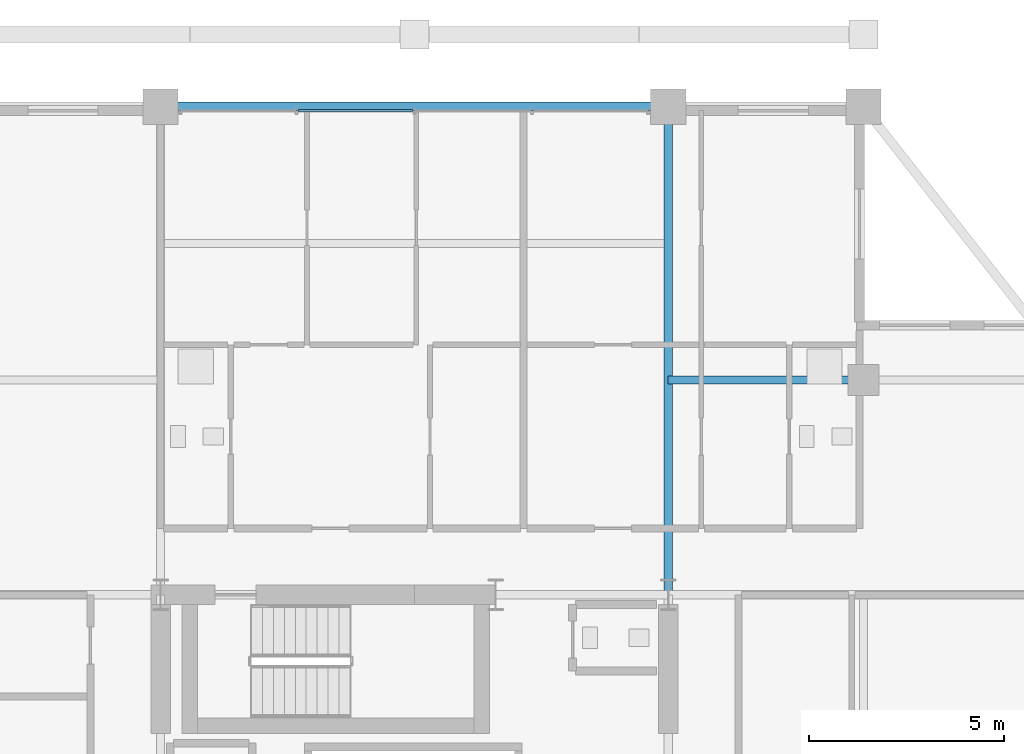
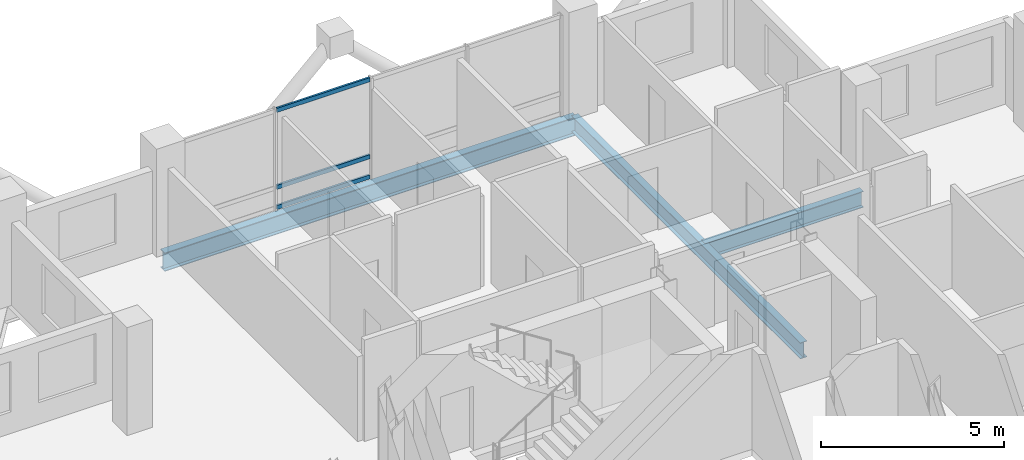
# One storey, part 15 of 23: 3 beams, 3 members, 1 element without a shape of its own.
"""IFC4 building model written with IfcOpenShell, lengths in metres."""

import ifcopenshell
import ifcopenshell.guid

model = None  # the IFC model being written
_history = None  # IfcOwnerHistory: only IFC2X3 demands one
_inside = {}  # id of a spatial element -> (the spatial element, [elements in it])
_under = {}  # id of a project, library or spatial element -> (it, [spatial elements below it])
_declared = {}  # id of a project -> (the project, [libraries it declares])
_typed = {}  # id of a type object -> (the type object, [elements of that type])
_made_of = {}  # id of a material, layer set ... -> (it, [elements and type objects made of it])


def new_model(schema):
    """Start an empty IFC model of exactly this schema.

    Asked for "IFC4X3", IfcOpenShell would pick the latest addendum, in which some entities
    have other attributes; the version numbers below select the first issue.
    IFC2X3 requires an IfcOwnerHistory on every rooted entity: one is made here for all.
    """
    global model, _history
    if schema == "IFC4X3":
        model = ifcopenshell.file(schema_version=(4, 3, 0, 0))
    else:
        model = ifcopenshell.file(schema=schema)
    _inside.clear()
    _under.clear()
    _declared.clear()
    _typed.clear()
    _made_of.clear()
    _history = None
    if model.schema == "IFC2X3":
        org = make("IfcOrganization", Name="unknown")
        user = make(
            "IfcPersonAndOrganization",
            ThePerson=make("IfcPerson", FamilyName="unknown"),
            TheOrganization=org,
        )
        app = make(
            "IfcApplication",
            ApplicationDeveloper=org,
            Version="unknown",
            ApplicationFullName="unknown",
            ApplicationIdentifier="unknown",
        )
        _history = make(
            "IfcOwnerHistory",
            OwningUser=user,
            OwningApplication=app,
            ChangeAction="ADDED",
            CreationDate=0,
        )
    return model


def make(cls, **values):
    """One entity of the class cls with the attributes given. An attribute that is None is left unset."""
    return model.create_entity(
        cls, **{name: value for name, value in values.items() if value is not None}
    )


def rooted(cls, **values):
    """An entity with a GlobalId (a new one), such as an element, a storey or a relation."""
    return make(cls, GlobalId=ifcopenshell.guid.new(), OwnerHistory=_history, **values)


def si_unit(unit_type, name, prefix=None):
    """IfcSIUnit, for example si_unit("LENGTHUNIT", "METRE", prefix="MILLI")."""
    return make("IfcSIUnit", UnitType=unit_type, Prefix=prefix, Name=name)


def assignment(units):
    """IfcUnitAssignment: the units of a project."""
    return None if units is None else make("IfcUnitAssignment", Units=units)


def point(xyz):
    """IfcCartesianPoint."""
    return None if xyz is None else make("IfcCartesianPoint", Coordinates=xyz)


def direction(xyz):
    """IfcDirection."""
    return None if xyz is None else make("IfcDirection", DirectionRatios=xyz)


def frame(location, z_axis=None, x_axis=None):
    """IfcAxis2Placement3D, a coordinate frame: its origin and axes. An axis left out is left unset."""
    return make(
        "IfcAxis2Placement3D",
        Location=point(location),
        Axis=direction(z_axis),
        RefDirection=direction(x_axis),
    )


def frame_2d(location, x_axis=None):
    """IfcAxis2Placement2D, a coordinate frame in the plane: its origin and x axis."""
    return make(
        "IfcAxis2Placement2D", Location=point(location), RefDirection=direction(x_axis)
    )


def origin():
    """The frame at (0, 0, 0) with its axes left unset."""
    return frame((0.0, 0.0, 0.0))


def origin_2d():
    """The frame at (0, 0) in the plane with its x axis left unset."""
    return frame_2d((0.0, 0.0))


def place(relative_to, where):
    """IfcLocalPlacement: puts the frame where relative to a parent placement (None: the world)."""
    return make(
        "IfcLocalPlacement", PlacementRelTo=relative_to, RelativePlacement=where
    )


def context(
    kind, dimensions, precision=None, world=None, true_north=None, identifier=None
):
    """IfcGeometricRepresentationContext, for example the 3D "Model" context."""
    return make(
        "IfcGeometricRepresentationContext",
        ContextIdentifier=identifier,
        ContextType=kind,
        CoordinateSpaceDimension=dimensions,
        Precision=precision,
        WorldCoordinateSystem=world,
        TrueNorth=true_north,
    )


def subcontext(parent, identifier, kind, view, scale=None):
    """IfcGeometricRepresentationSubContext, for example "Body" below "Model"."""
    return make(
        "IfcGeometricRepresentationSubContext",
        ContextIdentifier=identifier,
        ContextType=kind,
        ParentContext=parent,
        TargetScale=scale,
        TargetView=view,
    )


def project(units=None, contexts=None):
    """IfcProject with its units and contexts."""
    return rooted(
        "IfcProject",
        Name="project",
        RepresentationContexts=contexts,
        UnitsInContext=assignment(units),
    )


def spatial(cls, under=None, at=None, **own):
    """A site, building, storey or space (cls), placed at a placement, below another one or the project."""
    s = rooted(cls, ObjectPlacement=at, **own)
    if under is not None:
        _under.setdefault(under.id(), (under, []))[1].append(s)
    return s


def profile(cls, at=None, kind="AREA", **sizes):
    """A parametric profile (cls). Its sizes go by their IFC names, for example OverallWidth=200.0."""
    return make(cls, ProfileType=kind, Position=at, **sizes)


def hollow_rectangle(**sizes):
    """IfcRectangleHollowProfileDef."""
    return profile("IfcRectangleHollowProfileDef", **sizes)


def i_section(**sizes):
    """IfcIShapeProfileDef."""
    return profile("IfcIShapeProfileDef", **sizes)


def extrude(swept, where, along, depth):
    """IfcExtrudedAreaSolid: the profile swept, set in the frame where, extruded along a direction by depth."""
    return make(
        "IfcExtrudedAreaSolid",
        SweptArea=swept,
        Position=where,
        ExtrudedDirection=direction(along),
        Depth=depth,
    )


def shape(context_of_items, identifier, shape_type, items):
    """IfcShapeRepresentation: the items that make up one representation, for example the "Body"."""
    return make(
        "IfcShapeRepresentation",
        ContextOfItems=context_of_items,
        RepresentationIdentifier=identifier,
        RepresentationType=shape_type,
        Items=items,
    )


def material(Name=None, Category=None):
    """IfcMaterial."""
    return make("IfcMaterial", Name=Name, Category=Category)


def layer(
    of_material, thickness, ventilated=None, Name=None, Category=None, Priority=None
):
    """IfcMaterialLayer: one layer of a wall or slab, of a material (None: an air gap)."""
    return make(
        "IfcMaterialLayer",
        Material=of_material,
        LayerThickness=thickness,
        IsVentilated=ventilated,
        Name=Name,
        Category=Category,
        Priority=Priority,
    )


def layer_set(layers, Name=None):
    """IfcMaterialLayerSet."""
    return make("IfcMaterialLayerSet", MaterialLayers=layers, LayerSetName=Name)


def material_profile(
    of_material, cross_section, Name=None, Category=None, Priority=None
):
    """IfcMaterialProfile: a cross section and its material."""
    return make(
        "IfcMaterialProfile",
        Name=Name,
        Material=of_material,
        Profile=cross_section,
        Priority=Priority,
        Category=Category,
    )


def profile_set(profiles, Name=None, composite=None):
    """IfcMaterialProfileSet."""
    return make(
        "IfcMaterialProfileSet",
        Name=Name,
        MaterialProfiles=profiles,
        CompositeProfile=composite,
    )


def made_of(thing, what):
    """Note that an element or type object is made of a material, layer set ...; save() writes the relation."""
    if what is not None:
        _made_of.setdefault(what.id(), (what, []))[1].append(thing)
    return thing


def type_object(cls, material=None, **own):
    """A type object (cls), such as IfcWallType, which elements share."""
    return made_of(rooted(cls, **own), material)


def element(
    cls,
    number,
    at=None,
    inside=None,
    cuts=None,
    type_object=None,
    material=None,
    context=None,
    identifier="Body",
    shape_type=None,
    held_by="IfcProductDefinitionShape",
    body=None,
    shapes=None,
    **own,
):
    """One element of the class cls, such as IfcWall. Its Tag is "e" and its number.

    at: its placement. inside: the storey or other place that contains it. cuts: it is an
    opening in that element (IfcRelVoidsElement). A single representation is given by context,
    identifier, shape_type and body (its items); several are given by shapes. held_by: the class
    of the entity that holds the representations. save() writes the other relations.
    """
    e = rooted(cls, Tag="e%d" % number, ObjectPlacement=at, **own)
    if body is not None:
        shapes = [shape(context, identifier, shape_type, body)]
    if shapes is not None:
        e.Representation = make(held_by, Representations=shapes)
    if inside is not None:
        _inside.setdefault(inside.id(), (inside, []))[1].append(e)
    if cuts is not None:
        rooted(
            "IfcRelVoidsElement", RelatingBuildingElement=cuts, RelatedOpeningElement=e
        )
    if type_object is not None:
        _typed.setdefault(type_object.id(), (type_object, []))[1].append(e)
    return made_of(e, material)


def aggregate(whole, parts):
    """IfcRelAggregates: a whole, such as a stair, and the parts it consists of."""
    return rooted("IfcRelAggregates", RelatingObject=whole, RelatedObjects=parts)


def save(model, path):
    """Write the relations noted so far, then the file.

    IfcRelAggregates (storeys below a building ...), IfcRelContainedInSpatialStructure (elements
    in a storey), IfcRelDefinesByType, IfcRelAssociatesMaterial and IfcRelDeclares: one each for
    every whole, place, type object, material and project.
    """
    for whole, parts in _under.values():
        aggregate(whole, parts)
    for where, things in _inside.values():
        rooted(
            "IfcRelContainedInSpatialStructure",
            RelatedElements=things,
            RelatingStructure=where,
        )
    for kind, things in _typed.values():
        rooted("IfcRelDefinesByType", RelatedObjects=things, RelatingType=kind)
    for what, things in _made_of.values():
        rooted("IfcRelAssociatesMaterial", RelatedObjects=things, RelatingMaterial=what)
    for by, libraries in _declared.values():
        rooted("IfcRelDeclares", RelatingContext=by, RelatedDefinitions=libraries)
    model.write(path)


model = new_model("IFC4")

# Units and contexts
model_context = context("Model", 3, precision=1e-05, world=origin(), true_north=direction((0.0, 1.0)))
body_context = subcontext(model_context, "Body", "Model", "MODEL_VIEW")
ifc_project = project(units=[si_unit("LENGTHUNIT", "METRE"), si_unit("AREAUNIT", "SQUARE_METRE"), si_unit("VOLUMEUNIT", "CUBIC_METRE"), si_unit("PLANEANGLEUNIT", "RADIAN"), si_unit("MASSUNIT", "GRAM", prefix="KILO")], contexts=[model_context])

# Site, building, storey
site_placement = place(None, origin())
site = spatial("IfcSite", under=ifc_project, at=site_placement, CompositionType="ELEMENT")
building_placement = place(site_placement, origin())
building = spatial("IfcBuilding", under=site, at=building_placement, Name="Barlavira Tower and Art Museum", CompositionType="ELEMENT")
storey_placement = place(building_placement, frame((0.0, 0.0, 236.699951171875)))
storey = spatial("IfcBuildingStorey", under=building, at=storey_placement, Name="L61", CompositionType="ELEMENT", Elevation=236.699951171875)

# Curtain wall, members
ifc_material_1 = material(Name="Low-iron coastal laminated glass", Category="glass")
ifc_layer = layer(ifc_material_1, 0.2099609375, Name="Low-iron coastal laminated glass")
ifc_layer_set = layer_set([ifc_layer], Name="Low-iron coastal laminated glass")
curtain_wall_type = type_object("IfcCurtainWallType", Name="Pale-Metal Unitised Curtain Wall Zone 4", PredefinedType="NOTDEFINED", material=ifc_layer_set)
curtain_wall_placement = place(storey_placement, origin())
curtain_wall = element("IfcCurtainWall", 1, at=curtain_wall_placement, inside=storey, type_object=curtain_wall_type, Name="L61 Curtain Wall CW4-L61-N-B2", PredefinedType="NOTDEFINED")
ifc_material_2 = material(Name="Pale anodised aluminium", Category="aluminium")
ifc_material_profile_1 = material_profile(ifc_material_2, hollow_rectangle(XDim=0.06494140625, YDim=0.139892578125, WallThickness=0.00390625, at=origin_2d()), Name="ALU-TRAN 65x140x4")
ifc_profile_set_1 = profile_set([ifc_material_profile_1], Name="Pale anodised aluminium")
member_type = type_object("IfcMemberType", Name="Curtain Wall Pale-Metal Transom 65x140", PredefinedType="USERDEFINED", material=ifc_profile_set_1)
member_1_placement = place(storey_placement, frame((-0.044921875, 19.89990234375, 0.070068359375), z_axis=(-1.0, 0.0, 0.0), x_axis=(0.0, -1.0, 0.0)))
member_1 = element("IfcMember", 2, at=member_1_placement, type_object=member_type, Name="CW4-L61-N-B2 Transom 2.1", ObjectType="TRANSOM", PredefinedType="USERDEFINED", context=body_context, shape_type="SweptSolid", body=[
    extrude(hollow_rectangle(XDim=0.06494140625, YDim=0.139892578125, WallThickness=0.00390625, at=origin_2d()), origin(), (0.0, 0.0, 1.0), 2.925048828125),
])
member_2_placement = place(storey_placement, frame((-0.044921875, 19.89990234375, 0.744140625), z_axis=(-1.0, 0.0, 0.0), x_axis=(0.0, -1.0, 0.0)))
member_2 = element("IfcMember", 3, at=member_2_placement, type_object=member_type, Name="CW4-L61-N-B2 Transom 2.2", ObjectType="TRANSOM", PredefinedType="USERDEFINED", context=body_context, shape_type="SweptSolid", body=[
    extrude(hollow_rectangle(XDim=0.06494140625, YDim=0.139892578125, WallThickness=0.00390625, at=origin_2d()), origin(), (0.0, 0.0, 1.0), 2.925048828125),
])
member_3_placement = place(storey_placement, frame((-0.044921875, 19.89990234375, 3.31005859375), z_axis=(-1.0, 0.0, 0.0), x_axis=(0.0, -1.0, 0.0)))
member_3 = element("IfcMember", 4, at=member_3_placement, type_object=member_type, Name="CW4-L61-N-B2 Transom 2.3", ObjectType="TRANSOM", PredefinedType="USERDEFINED", context=body_context, shape_type="SweptSolid", body=[
    extrude(hollow_rectangle(XDim=0.06494140625, YDim=0.139892578125, WallThickness=0.00390625, at=origin_2d()), origin(), (0.0, 0.0, 1.0), 2.925048828125),
])
aggregate(curtain_wall, [member_1, member_2, member_3])

# Beams
ifc_material_3 = material(Name="Steel S355", Category="steel")
ifc_material_profile_2 = material_profile(ifc_material_3, i_section(OverallWidth=0.22998046875, OverallDepth=0.616943359375, WebThickness=0.01318359375, FlangeThickness=0.022216796875, at=origin_2d()), Name="W610x140.0")
ifc_profile_set_2 = profile_set([ifc_material_profile_2], Name="Steel S355")
beam_type_1 = type_object("IfcBeamType", Name="Upper Shaft Spandrel Edge Beam W610x140 Steel S355", PredefinedType="SPANDREL", material=ifc_profile_set_2)
beam_1_placement = place(storey_placement, frame((-6.5, 20.0, -0.528564453125), z_axis=(1.0, 0.0, 0.0), x_axis=(0.0, 1.0, 0.0)))
element("IfcBeam", 5, at=beam_1_placement, inside=storey, type_object=beam_type_1, Name="L61 Spandrel 10", PredefinedType="SPANDREL", context=body_context, shape_type="SweptSolid", body=[
    extrude(i_section(OverallWidth=0.22998046875, OverallDepth=0.616943359375, WebThickness=0.01318359375, FlangeThickness=0.022216796875, at=origin_2d()), origin(), (0.0, 0.0, 1.0), 13.0),
])
ifc_material_profile_3 = material_profile(ifc_material_3, i_section(OverallWidth=0.2109375, OverallDepth=0.5390625, WebThickness=0.01171875, FlangeThickness=0.018798828125, at=origin_2d()), Name="W530x109.0")
ifc_profile_set_3 = profile_set([ifc_material_profile_3], Name="Steel S355")
beam_type_2 = type_object("IfcBeamType", Name="Zone 3-4 Primary Floor Girder W530x109 Steel S355", PredefinedType="BEAM", material=ifc_profile_set_3)
beam_2_placement = place(storey_placement, frame((6.5, 7.5, -0.489501953125), z_axis=(0.0, 1.0, 0.0), x_axis=(-1.0, 0.0, 0.0)))
element("IfcBeam", 6, at=beam_2_placement, inside=storey, type_object=beam_type_2, Name="L61 Girder R-N2", PredefinedType="BEAM", context=body_context, shape_type="SweptSolid", body=[
    extrude(i_section(OverallWidth=0.2109375, OverallDepth=0.5390625, WebThickness=0.01171875, FlangeThickness=0.018798828125, at=origin_2d()), origin(), (0.0, 0.0, 1.0), 12.5),
])
beam_3_placement = place(storey_placement, frame((6.5, 13.0, -0.489501953125), z_axis=(1.0, 0.0, 0.0), x_axis=(0.0, 1.0, 0.0)))
element("IfcBeam", 7, at=beam_3_placement, inside=storey, type_object=beam_type_2, Name="L61 Girder I-N3", PredefinedType="BEAM", context=body_context, shape_type="SweptSolid", body=[
    extrude(i_section(OverallWidth=0.2109375, OverallDepth=0.5390625, WebThickness=0.01171875, FlangeThickness=0.018798828125, at=origin_2d()), origin(), (0.0, 0.0, 1.0), 5.0),
])

save(model, "model.ifc")
